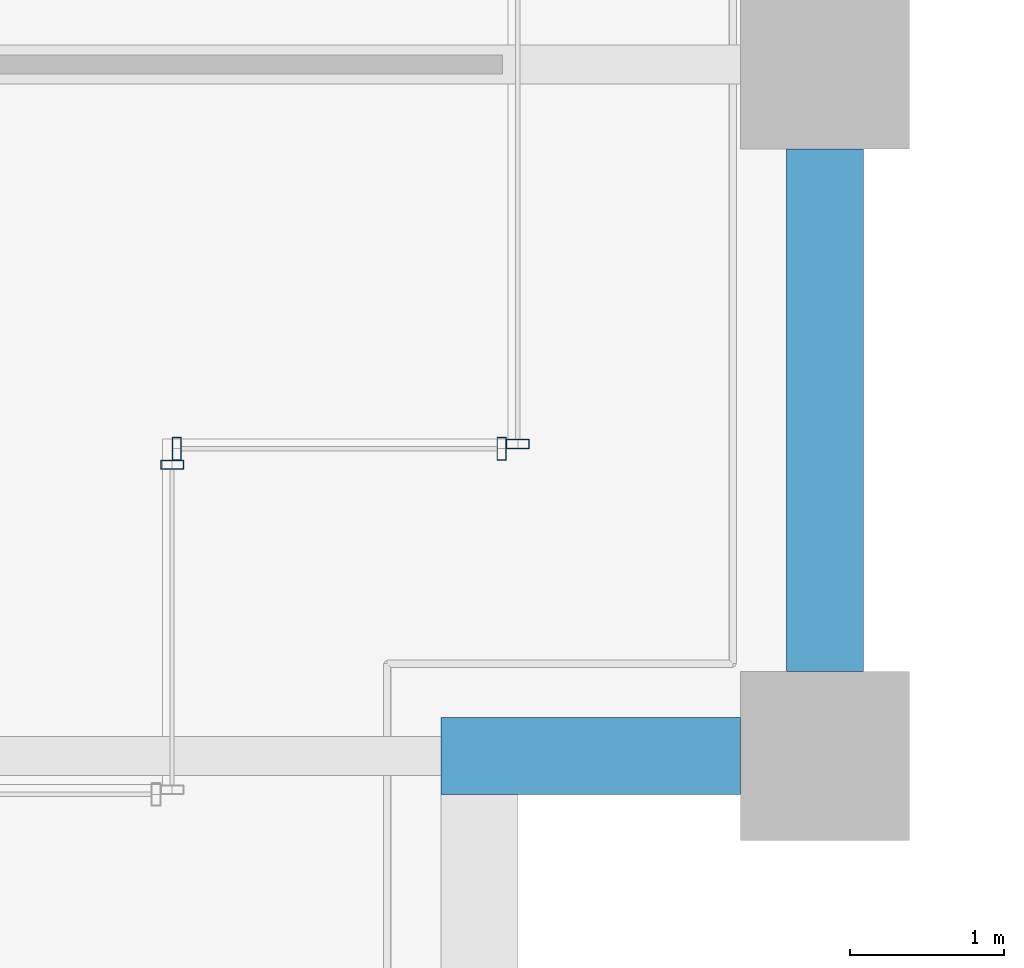
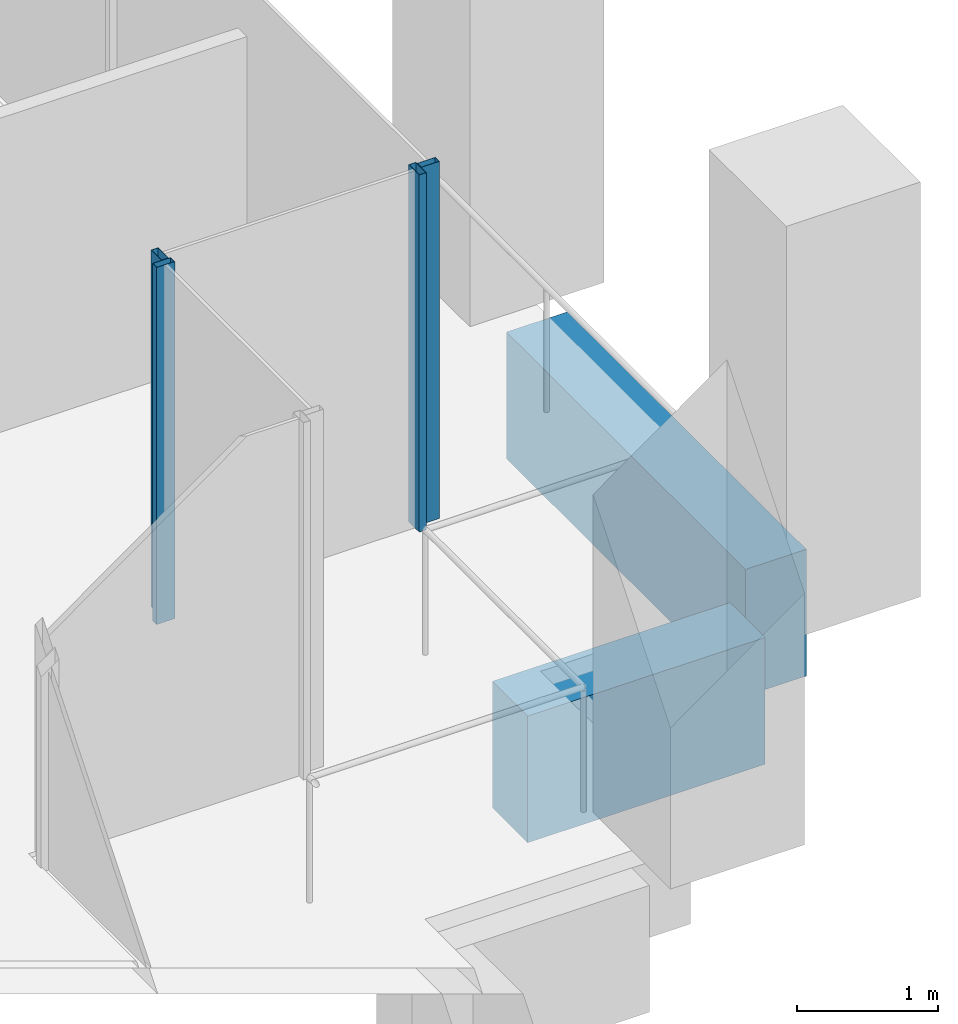
# One storey, part 16 of 56: 4 members, 2 beams, 3 elements without a shape of their own.
"""IFC4 building model written with IfcOpenShell, lengths in metres."""

import ifcopenshell
import ifcopenshell.guid

model = None  # the IFC model being written
_history = None  # IfcOwnerHistory: only IFC2X3 demands one
_inside = {}  # id of a spatial element -> (the spatial element, [elements in it])
_under = {}  # id of a project, library or spatial element -> (it, [spatial elements below it])
_declared = {}  # id of a project -> (the project, [libraries it declares])
_typed = {}  # id of a type object -> (the type object, [elements of that type])
_made_of = {}  # id of a material, layer set ... -> (it, [elements and type objects made of it])


def new_model(schema):
    """Start an empty IFC model of exactly this schema.

    Asked for "IFC4X3", IfcOpenShell would pick the latest addendum, in which some entities
    have other attributes; the version numbers below select the first issue.
    IFC2X3 requires an IfcOwnerHistory on every rooted entity: one is made here for all.
    """
    global model, _history
    if schema == "IFC4X3":
        model = ifcopenshell.file(schema_version=(4, 3, 0, 0))
    else:
        model = ifcopenshell.file(schema=schema)
    _inside.clear()
    _under.clear()
    _declared.clear()
    _typed.clear()
    _made_of.clear()
    _history = None
    if model.schema == "IFC2X3":
        org = make("IfcOrganization", Name="unknown")
        user = make(
            "IfcPersonAndOrganization",
            ThePerson=make("IfcPerson", FamilyName="unknown"),
            TheOrganization=org,
        )
        app = make(
            "IfcApplication",
            ApplicationDeveloper=org,
            Version="unknown",
            ApplicationFullName="unknown",
            ApplicationIdentifier="unknown",
        )
        _history = make(
            "IfcOwnerHistory",
            OwningUser=user,
            OwningApplication=app,
            ChangeAction="ADDED",
            CreationDate=0,
        )
    return model


def make(cls, **values):
    """One entity of the class cls with the attributes given. An attribute that is None is left unset."""
    return model.create_entity(
        cls, **{name: value for name, value in values.items() if value is not None}
    )


def rooted(cls, **values):
    """An entity with a GlobalId (a new one), such as an element, a storey or a relation."""
    return make(cls, GlobalId=ifcopenshell.guid.new(), OwnerHistory=_history, **values)


def si_unit(unit_type, name, prefix=None):
    """IfcSIUnit, for example si_unit("LENGTHUNIT", "METRE", prefix="MILLI")."""
    return make("IfcSIUnit", UnitType=unit_type, Prefix=prefix, Name=name)


def assignment(units):
    """IfcUnitAssignment: the units of a project."""
    return None if units is None else make("IfcUnitAssignment", Units=units)


def point(xyz):
    """IfcCartesianPoint."""
    return None if xyz is None else make("IfcCartesianPoint", Coordinates=xyz)


def direction(xyz):
    """IfcDirection."""
    return None if xyz is None else make("IfcDirection", DirectionRatios=xyz)


def frame(location, z_axis=None, x_axis=None):
    """IfcAxis2Placement3D, a coordinate frame: its origin and axes. An axis left out is left unset."""
    return make(
        "IfcAxis2Placement3D",
        Location=point(location),
        Axis=direction(z_axis),
        RefDirection=direction(x_axis),
    )


def frame_2d(location, x_axis=None):
    """IfcAxis2Placement2D, a coordinate frame in the plane: its origin and x axis."""
    return make(
        "IfcAxis2Placement2D", Location=point(location), RefDirection=direction(x_axis)
    )


def origin():
    """The frame at (0, 0, 0) with its axes left unset."""
    return frame((0.0, 0.0, 0.0))


def origin_2d():
    """The frame at (0, 0) in the plane with its x axis left unset."""
    return frame_2d((0.0, 0.0))


def place(relative_to, where):
    """IfcLocalPlacement: puts the frame where relative to a parent placement (None: the world)."""
    return make(
        "IfcLocalPlacement", PlacementRelTo=relative_to, RelativePlacement=where
    )


def context(
    kind, dimensions, precision=None, world=None, true_north=None, identifier=None
):
    """IfcGeometricRepresentationContext, for example the 3D "Model" context."""
    return make(
        "IfcGeometricRepresentationContext",
        ContextIdentifier=identifier,
        ContextType=kind,
        CoordinateSpaceDimension=dimensions,
        Precision=precision,
        WorldCoordinateSystem=world,
        TrueNorth=true_north,
    )


def subcontext(parent, identifier, kind, view, scale=None):
    """IfcGeometricRepresentationSubContext, for example "Body" below "Model"."""
    return make(
        "IfcGeometricRepresentationSubContext",
        ContextIdentifier=identifier,
        ContextType=kind,
        ParentContext=parent,
        TargetScale=scale,
        TargetView=view,
    )


def project(units=None, contexts=None):
    """IfcProject with its units and contexts."""
    return rooted(
        "IfcProject",
        Name="project",
        RepresentationContexts=contexts,
        UnitsInContext=assignment(units),
    )


def spatial(cls, under=None, at=None, **own):
    """A site, building, storey or space (cls), placed at a placement, below another one or the project."""
    s = rooted(cls, ObjectPlacement=at, **own)
    if under is not None:
        _under.setdefault(under.id(), (under, []))[1].append(s)
    return s


def profile(cls, at=None, kind="AREA", **sizes):
    """A parametric profile (cls). Its sizes go by their IFC names, for example OverallWidth=200.0."""
    return make(cls, ProfileType=kind, Position=at, **sizes)


def rectangle(**sizes):
    """IfcRectangleProfileDef."""
    return profile("IfcRectangleProfileDef", **sizes)


def hollow_rectangle(**sizes):
    """IfcRectangleHollowProfileDef."""
    return profile("IfcRectangleHollowProfileDef", **sizes)


def extrude(swept, where, along, depth):
    """IfcExtrudedAreaSolid: the profile swept, set in the frame where, extruded along a direction by depth."""
    return make(
        "IfcExtrudedAreaSolid",
        SweptArea=swept,
        Position=where,
        ExtrudedDirection=direction(along),
        Depth=depth,
    )


def shape(context_of_items, identifier, shape_type, items):
    """IfcShapeRepresentation: the items that make up one representation, for example the "Body"."""
    return make(
        "IfcShapeRepresentation",
        ContextOfItems=context_of_items,
        RepresentationIdentifier=identifier,
        RepresentationType=shape_type,
        Items=items,
    )


def material(Name=None, Category=None):
    """IfcMaterial."""
    return make("IfcMaterial", Name=Name, Category=Category)


def material_profile(
    of_material, cross_section, Name=None, Category=None, Priority=None
):
    """IfcMaterialProfile: a cross section and its material."""
    return make(
        "IfcMaterialProfile",
        Name=Name,
        Material=of_material,
        Profile=cross_section,
        Priority=Priority,
        Category=Category,
    )


def profile_set(profiles, Name=None, composite=None):
    """IfcMaterialProfileSet."""
    return make(
        "IfcMaterialProfileSet",
        Name=Name,
        MaterialProfiles=profiles,
        CompositeProfile=composite,
    )


def made_of(thing, what):
    """Note that an element or type object is made of a material, layer set ...; save() writes the relation."""
    if what is not None:
        _made_of.setdefault(what.id(), (what, []))[1].append(thing)
    return thing


def type_object(cls, material=None, **own):
    """A type object (cls), such as IfcWallType, which elements share."""
    return made_of(rooted(cls, **own), material)


def element(
    cls,
    number,
    at=None,
    inside=None,
    cuts=None,
    type_object=None,
    material=None,
    context=None,
    identifier="Body",
    shape_type=None,
    held_by="IfcProductDefinitionShape",
    body=None,
    shapes=None,
    **own,
):
    """One element of the class cls, such as IfcWall. Its Tag is "e" and its number.

    at: its placement. inside: the storey or other place that contains it. cuts: it is an
    opening in that element (IfcRelVoidsElement). A single representation is given by context,
    identifier, shape_type and body (its items); several are given by shapes. held_by: the class
    of the entity that holds the representations. save() writes the other relations.
    """
    e = rooted(cls, Tag="e%d" % number, ObjectPlacement=at, **own)
    if body is not None:
        shapes = [shape(context, identifier, shape_type, body)]
    if shapes is not None:
        e.Representation = make(held_by, Representations=shapes)
    if inside is not None:
        _inside.setdefault(inside.id(), (inside, []))[1].append(e)
    if cuts is not None:
        rooted(
            "IfcRelVoidsElement", RelatingBuildingElement=cuts, RelatedOpeningElement=e
        )
    if type_object is not None:
        _typed.setdefault(type_object.id(), (type_object, []))[1].append(e)
    return made_of(e, material)


def aggregate(whole, parts):
    """IfcRelAggregates: a whole, such as a stair, and the parts it consists of."""
    return rooted("IfcRelAggregates", RelatingObject=whole, RelatedObjects=parts)


def save(model, path):
    """Write the relations noted so far, then the file.

    IfcRelAggregates (storeys below a building ...), IfcRelContainedInSpatialStructure (elements
    in a storey), IfcRelDefinesByType, IfcRelAssociatesMaterial and IfcRelDeclares: one each for
    every whole, place, type object, material and project.
    """
    for whole, parts in _under.values():
        aggregate(whole, parts)
    for where, things in _inside.values():
        rooted(
            "IfcRelContainedInSpatialStructure",
            RelatedElements=things,
            RelatingStructure=where,
        )
    for kind, things in _typed.values():
        rooted("IfcRelDefinesByType", RelatedObjects=things, RelatingType=kind)
    for what, things in _made_of.values():
        rooted("IfcRelAssociatesMaterial", RelatedObjects=things, RelatingMaterial=what)
    for by, libraries in _declared.values():
        rooted("IfcRelDeclares", RelatingContext=by, RelatedDefinitions=libraries)
    model.write(path)


model = new_model("IFC4")

# Units and contexts
model_context = context("Model", 3, precision=1e-05, world=origin(), true_north=direction((0.0, 1.0)))
body_context = subcontext(model_context, "Body", "Model", "MODEL_VIEW")
ifc_project = project(units=[si_unit("LENGTHUNIT", "METRE"), si_unit("AREAUNIT", "SQUARE_METRE"), si_unit("VOLUMEUNIT", "CUBIC_METRE"), si_unit("PLANEANGLEUNIT", "RADIAN"), si_unit("MASSUNIT", "GRAM", prefix="KILO")], contexts=[model_context])

# Site, building, storey
site_placement = place(None, origin())
site = spatial("IfcSite", under=ifc_project, at=site_placement, CompositionType="ELEMENT")
building_placement = place(site_placement, origin())
building = spatial("IfcBuilding", under=site, at=building_placement, Name="Altepetl Exchange Towers", CompositionType="ELEMENT")
storey_placement = place(building_placement, frame((0.0, 0.0, 69.0)))
storey = spatial("IfcBuildingStorey", under=building, at=storey_placement, Name="L16", CompositionType="ELEMENT", Elevation=69.0)

# Curtain wall, member
ifc_material_1 = material(Name="Aluminium 6063-T6 glazing", Category="aluminium")
curtain_wall_type = type_object("IfcCurtainWallType", Name="Loggia glazing system", PredefinedType="NOTDEFINED", material=ifc_material_1)
curtain_wall_1_placement = place(storey_placement, origin())
curtain_wall_1 = element("IfcCurtainWall", 1, at=curtain_wall_1_placement, inside=storey, type_object=curtain_wall_type, Name="CW1 run", PredefinedType="NOTDEFINED")
ifc_material_2 = material(Name="Aluminium 6063-T6", Category="aluminium")
ifc_material_profile_1 = material_profile(ifc_material_2, hollow_rectangle(XDim=0.06005859375, YDim=0.14990234375, WallThickness=0.0029296875, at=origin_2d()), Name="Mullion 60x150 aluminium")
ifc_profile_set_1 = profile_set([ifc_material_profile_1], Name="Aluminium 6063-T6")
member_type = type_object("IfcMemberType", Name="Mullion 60x150 aluminium", PredefinedType="MULLION", material=ifc_profile_set_1)
member_1_placement = place(storey_placement, frame((67.75, 33.39501953125, 0.0), z_axis=(0.0, 0.0, 1.0), x_axis=(0.0, 1.0, 0.0)))
member_1 = element("IfcMember", 2, at=member_1_placement, type_object=member_type, Name="MU1 mullion", PredefinedType="MULLION", context=body_context, shape_type="SweptSolid", body=[
    extrude(hollow_rectangle(XDim=0.06005859375, YDim=0.14990234375, WallThickness=0.0029296875, at=origin_2d()), origin(), (0.0, 0.0, 1.0), 3.10009765625),
])
aggregate(curtain_wall_1, [member_1])

# Curtain wall, members
curtain_wall_2_placement = place(storey_placement, origin())
curtain_wall_2 = element("IfcCurtainWall", 3, at=curtain_wall_2_placement, inside=storey, type_object=curtain_wall_type, Name="CW1 run", PredefinedType="NOTDEFINED")
member_2_placement = place(storey_placement, frame((67.780029296875, 33.5, 0.0)))
member_2 = element("IfcMember", 4, at=member_2_placement, type_object=member_type, Name="MU1 mullion", PredefinedType="MULLION", context=body_context, shape_type="SweptSolid", body=[
    extrude(hollow_rectangle(XDim=0.06005859375, YDim=0.14990234375, WallThickness=0.0029296875, at=origin_2d()), origin(), (0.0, 0.0, 1.0), 3.10009765625),
])
member_3_placement = place(storey_placement, frame((69.89501953125, 33.5, 0.0)))
member_3 = element("IfcMember", 5, at=member_3_placement, type_object=member_type, Name="MU1 mullion", PredefinedType="MULLION", context=body_context, shape_type="SweptSolid", body=[
    extrude(hollow_rectangle(XDim=0.06005859375, YDim=0.14990234375, WallThickness=0.0029296875, at=origin_2d()), origin(), (0.0, 0.0, 1.0), 3.10009765625),
])
aggregate(curtain_wall_2, [member_2, member_3])

# Curtain wall, member
curtain_wall_3_placement = place(storey_placement, origin())
curtain_wall_3 = element("IfcCurtainWall", 6, at=curtain_wall_3_placement, inside=storey, type_object=curtain_wall_type, Name="CW1 run", PredefinedType="NOTDEFINED")
member_4_placement = place(storey_placement, frame((70.0, 33.530029296875, 0.0), z_axis=(0.0, 0.0, 1.0), x_axis=(0.0, 1.0, 0.0)))
member_4 = element("IfcMember", 7, at=member_4_placement, type_object=member_type, Name="MU1 mullion", PredefinedType="MULLION", context=body_context, shape_type="SweptSolid", body=[
    extrude(hollow_rectangle(XDim=0.06005859375, YDim=0.14990234375, WallThickness=0.0029296875, at=origin_2d()), origin(), (0.0, 0.0, 1.0), 3.10009765625),
])
aggregate(curtain_wall_3, [member_4])

# Beams
ifc_material_3 = material(Name="Concrete C50/60 precast with cantera amarilla facing", Category="concrete")
ifc_material_profile_2 = material_profile(ifc_material_3, rectangle(XDim=0.5, YDim=1.10009765625, at=origin_2d()), Name="500 x 1100")
ifc_profile_set_2 = profile_set([ifc_material_profile_2], Name="Concrete C50/60 precast with cantera amarilla facing")
beam_type = type_object("IfcBeamType", Name="Spandrel beam 500x1100 cantera amarilla", PredefinedType="SPANDREL", material=ifc_profile_set_2)
beam_1_placement = place(storey_placement, frame((69.5, 31.5, -0.699951171875), z_axis=(1.0, 0.0, 0.0), x_axis=(0.0, 1.0, 0.0)))
element("IfcBeam", 8, at=beam_1_placement, inside=storey, type_object=beam_type, Name="sp:A:L16:011", PredefinedType="SPANDREL", context=body_context, shape_type="SweptSolid", body=[
    extrude(rectangle(XDim=0.5, YDim=1.10009765625, at=origin_2d()), origin(), (0.0, 0.0, 1.0), 1.949951171875),
])
beam_2_placement = place(storey_placement, frame((72.0, 32.050048828125, -0.699951171875), z_axis=(0.0, 1.0, 0.0), x_axis=(-1.0, 0.0, 0.0)))
element("IfcBeam", 9, at=beam_2_placement, inside=storey, type_object=beam_type, Name="sp:A:L16:012", PredefinedType="SPANDREL", context=body_context, shape_type="SweptSolid", body=[
    extrude(rectangle(XDim=0.5, YDim=1.10009765625, at=origin_2d()), origin(), (0.0, 0.0, 1.0), 3.39990234375),
])

save(model, "model.ifc")
